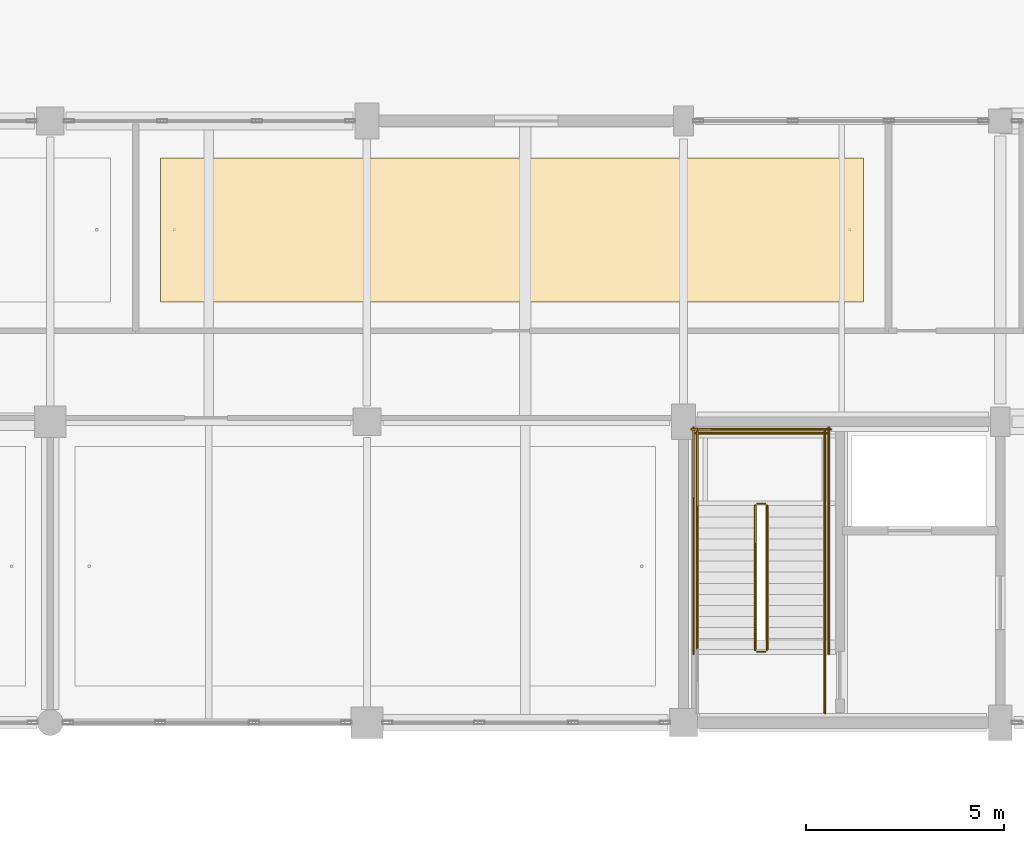
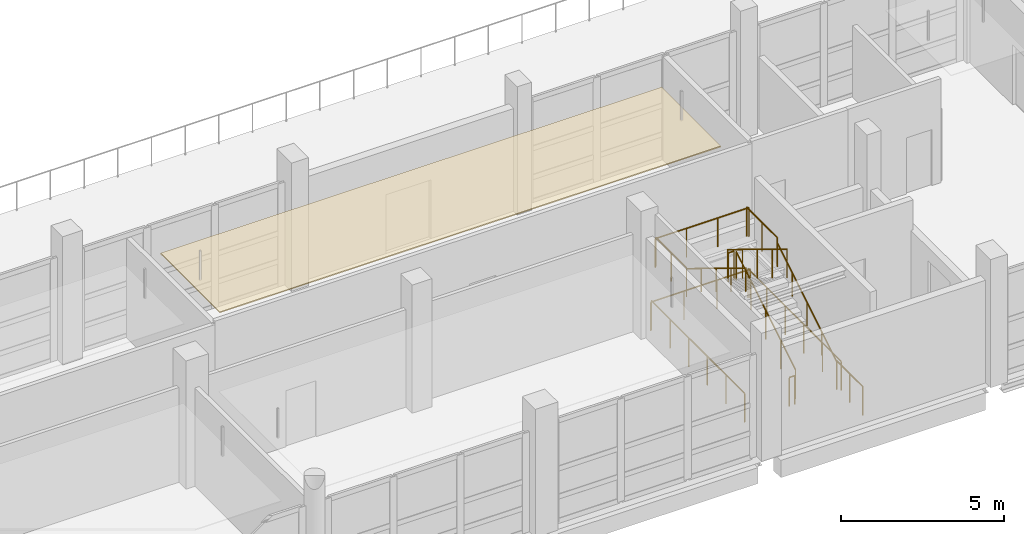
# One storey, part 135 of 147: 13 railings, 1 covering.
"""IFC4 building model written with IfcOpenShell, lengths in metres."""

from ifc_helpers import new_model, si_unit, direction, frame, origin, origin_2d, place, context, subcontext, project, spatial, polyline, circle, outline, extrude, material, layer, layer_set, type_object, element, save


model = new_model("IFC4")

# Units and contexts
model_context = context("Model", 3, precision=1e-05, world=origin(), true_north=direction((0.0, 1.0)))
body_context = subcontext(model_context, "Body", "Model", "MODEL_VIEW")
ifc_project = project(units=[si_unit("LENGTHUNIT", "METRE"), si_unit("AREAUNIT", "SQUARE_METRE"), si_unit("VOLUMEUNIT", "CUBIC_METRE"), si_unit("PLANEANGLEUNIT", "RADIAN"), si_unit("MASSUNIT", "GRAM", prefix="KILO")], contexts=[model_context])

# Site, building, storey
site_placement = place(None, origin())
site = spatial("IfcSite", under=ifc_project, at=site_placement, CompositionType="ELEMENT")
building_placement = place(site_placement, origin())
building = spatial("IfcBuilding", under=site, at=building_placement, Name="Khelvaren Railside Concert Hall", CompositionType="ELEMENT")
storey_placement = place(building_placement, frame((0.0, 0.0, 5.39990234375)))
storey = spatial("IfcBuildingStorey", under=building, at=storey_placement, Name="L01", CompositionType="ELEMENT", Elevation=5.39990234375)

# Covering
ifc_material_1 = material(Name="Mineral-wool acoustic baffle ceiling", Category="gypsum")
ifc_layer = layer(ifc_material_1, 0.0400390625)
ifc_layer_set = layer_set([ifc_layer], Name="Mineral-wool acoustic baffle ceiling")
covering_type = type_object("IfcCoveringType", Name="CLG20", PredefinedType="CEILING", material=ifc_layer_set)
covering_placement = place(storey_placement, frame((0.0, 0.0, 3.41015625)))
element("IfcCovering", 1, at=covering_placement, inside=storey, type_object=covering_type, Name="Suspended Acoustic Ceiling Acoustic Heritage Exhibition Gallery", PredefinedType="CEILING", context=body_context, shape_type="SweptSolid", body=[
    extrude(outline(polyline([(106.785888671875, 10.6298828125), (124.5439453125, 10.6298828125), (124.5439453125, 14.27001953125), (106.785888671875, 14.27001953125), (106.785888671875, 10.6298828125)])), origin(), (0.0, 0.0, 1.0), 0.0400390625),
])

# Railings
ifc_material_2 = material(Name="Painted architectural steel", Category="steel")
railing_type_1 = type_object("IfcRailingType", Name="GRD86", PredefinedType="GUARDRAIL", material=ifc_material_2)
railing_1_placement = place(storey_placement, frame((122.110107421875, 1.840087890625, 0.171630859375)))
element("IfcRailing", 2, at=railing_1_placement, inside=storey, type_object=railing_type_1, Name="L01 ST-06 stair guard 1", PredefinedType="GUARDRAIL", context=body_context, shape_type="SweptSolid", body=[
    extrude(circle(Radius=0.02392578125, at=origin_2d()), frame((0.0, 0.0, 1.076171875), z_axis=(0.0, 0.852850264322, 0.5221555579), x_axis=(-1.0, 0.0, 0.0)), (0.0, 0.0, 1.0), 4.267822265625),
    extrude(circle(Radius=0.02099609375, at=origin_2d()), origin(), (0.0, 0.0, 1.0), 1.052001953125),
    extrude(circle(Radius=0.02099609375, at=origin_2d()), frame((0.0, 0.909912109375, 0.55712890625)), (0.0, 0.0, 1.0), 1.052001953125),
    extrude(circle(Radius=0.02099609375, at=origin_2d()), frame((0.0, 1.81982421875, 1.1142578125)), (0.0, 0.0, 1.0), 1.052001953125),
    extrude(circle(Radius=0.02099609375, at=origin_2d()), frame((0.0, 2.72998046875, 1.67138671875)), (0.0, 0.0, 1.0), 1.052001953125),
    extrude(circle(Radius=0.02099609375, at=origin_2d()), frame((0.0, 3.639892578125, 2.228515625)), (0.0, 0.0, 1.0), 1.052001953125),
])
railing_2_placement = place(storey_placement, frame((122.06005859375, 5.530029296875, 2.400146484375)))
element("IfcRailing", 3, at=railing_2_placement, inside=storey, type_object=railing_type_1, Name="L01 ST-06 stair guard 2", PredefinedType="GUARDRAIL", context=body_context, shape_type="SweptSolid", body=[
    extrude(circle(Radius=0.02392578125, at=origin_2d()), frame((0.0, 0.0, 1.076171875), z_axis=(-1.0, 0.0, 0.0), x_axis=(0.0, -1.0, 0.0)), (0.0, 0.0, 1.0), 0.199951171875),
    extrude(circle(Radius=0.02099609375, at=origin_2d()), origin(), (0.0, 0.0, 1.0), 1.052001953125),
    extrude(circle(Radius=0.02099609375, at=origin_2d()), frame((-0.199951171875, 0.0, 0.0)), (0.0, 0.0, 1.0), 1.052001953125),
])
for number, where, name in (
    (4, (123.570068359375, 5.47998046875, 2.400146484375), "L01 ST-06 stair guard 3"),
    (5, (120.35009765625, 5.47998046875, 2.400146484375), "L01 ST-06 stair guard 4"),
):
    element("IfcRailing", number, at=place(storey_placement, frame(where)), inside=storey, type_object=railing_type_1, Name=name, PredefinedType="GUARDRAIL", context=body_context, shape_type="SweptSolid", body=[
        extrude(circle(Radius=0.02392578125, at=origin_2d()), frame((0.0, 0.0, 1.076171875), z_axis=(0.0, 1.0, 0.0), x_axis=(-1.0, 0.0, 0.0)), (0.0, 0.0, 1.0), 1.880126953125),
        extrude(circle(Radius=0.02099609375, at=origin_2d()), origin(), (0.0, 0.0, 1.0), 1.052001953125),
        extrude(circle(Radius=0.02099609375, at=origin_2d()), frame((0.0, 0.93994140625, 0.0)), (0.0, 0.0, 1.0), 1.052001953125),
        extrude(circle(Radius=0.02099609375, at=origin_2d()), frame((0.0, 1.880126953125, 0.0)), (0.0, 0.0, 1.0), 1.052001953125),
    ])
railing_3_placement = place(storey_placement, frame((123.6201171875, 7.31005859375, 2.400146484375)))
element("IfcRailing", 6, at=railing_3_placement, inside=storey, type_object=railing_type_1, Name="L01 ST-06 stair guard 5", PredefinedType="GUARDRAIL", context=body_context, shape_type="SweptSolid", body=[
    extrude(circle(Radius=0.02392578125, at=origin_2d()), frame((0.0, 0.0, 1.076171875), z_axis=(-1.0, 0.0, 0.0), x_axis=(0.0, -1.0, 0.0)), (0.0, 0.0, 1.0), 3.320068359375),
    extrude(circle(Radius=0.02099609375, at=origin_2d()), origin(), (0.0, 0.0, 1.0), 1.052001953125),
    extrude(circle(Radius=0.02099609375, at=origin_2d()), frame((-1.106689453125, 0.0, 0.0)), (0.0, 0.0, 1.0), 1.052001953125),
    extrude(circle(Radius=0.02099609375, at=origin_2d()), frame((-2.21337890625, 0.0, 0.0)), (0.0, 0.0, 1.0), 1.052001953125),
    extrude(circle(Radius=0.02099609375, at=origin_2d()), frame((-3.320068359375, 0.0, 0.0)), (0.0, 0.0, 1.0), 1.052001953125),
])
railing_4_placement = place(storey_placement, frame((121.81005859375, 5.47998046875, 2.571533203125)))
element("IfcRailing", 7, at=railing_4_placement, inside=storey, type_object=railing_type_1, Name="L01 ST-06 stair guard 6", PredefinedType="GUARDRAIL", context=body_context, shape_type="SweptSolid", body=[
    extrude(circle(Radius=0.02392578125, at=origin_2d()), frame((0.0, 0.0, 1.076171875), z_axis=(0.0, -0.852850264322, 0.5221555579), x_axis=(1.0, 0.0, 0.0)), (0.0, 0.0, 1.0), 4.267822265625),
    extrude(circle(Radius=0.02099609375, at=origin_2d()), origin(), (0.0, 0.0, 1.0), 1.052001953125),
    extrude(circle(Radius=0.02099609375, at=origin_2d()), frame((0.0, -0.909912109375, 0.55712890625)), (0.0, 0.0, 1.0), 1.052001953125),
    extrude(circle(Radius=0.02099609375, at=origin_2d()), frame((0.0, -1.81982421875, 1.1142578125)), (0.0, 0.0, 1.0), 1.052001953125),
    extrude(circle(Radius=0.02099609375, at=origin_2d()), frame((0.0, -2.72998046875, 1.67138671875)), (0.0, 0.0, 1.0), 1.052001953125),
    extrude(circle(Radius=0.02099609375, at=origin_2d()), frame((0.0, -3.639892578125, 2.228515625)), (0.0, 0.0, 1.0), 1.052001953125),
])
railing_5_placement = place(storey_placement, frame((122.06005859375, 1.7900390625, 0.0)))
element("IfcRailing", 8, at=railing_5_placement, inside=storey, type_object=railing_type_1, Name="L01 ST-06 stair guard 7", PredefinedType="GUARDRAIL", context=body_context, shape_type="SweptSolid", body=[
    extrude(circle(Radius=0.02392578125, at=origin_2d()), frame((0.0, 0.0, 1.076171875), z_axis=(-1.0, 0.0, 0.0), x_axis=(0.0, -1.0, 0.0)), (0.0, 0.0, 1.0), 0.199951171875),
    extrude(circle(Radius=0.02099609375, at=origin_2d()), origin(), (0.0, 0.0, 1.0), 1.052001953125),
    extrude(circle(Radius=0.02099609375, at=origin_2d()), frame((-0.199951171875, 0.0, 0.0)), (0.0, 0.0, 1.0), 1.052001953125),
])
railing_6_placement = place(storey_placement, frame((123.570068359375, 0.239990234375, 0.0)))
element("IfcRailing", 9, at=railing_6_placement, inside=storey, type_object=railing_type_1, Name="L01 ST-06 stair guard 8", PredefinedType="GUARDRAIL", context=body_context, shape_type="SweptSolid", body=[
    extrude(circle(Radius=0.02392578125, at=origin_2d()), frame((0.0, 0.0, 1.076171875), z_axis=(0.0, 1.0, 0.0), x_axis=(-1.0, 0.0, 0.0)), (0.0, 0.0, 1.0), 1.60009765625),
    extrude(circle(Radius=0.02099609375, at=origin_2d()), origin(), (0.0, 0.0, 1.0), 1.052001953125),
    extrude(circle(Radius=0.02099609375, at=origin_2d()), frame((0.0, 0.800048828125, 0.0)), (0.0, 0.0, 1.0), 1.052001953125),
    extrude(circle(Radius=0.02099609375, at=origin_2d()), frame((0.0, 1.60009765625, 0.0)), (0.0, 0.0, 1.0), 1.052001953125),
])
for number, where, name in (
    (10, (123.669921875, 1.739990234375, 0.0), "L01 ST-06 stair guard 10"),
    (11, (120.25, 1.739990234375, 0.0), "L01 ST-06 stair guard 11"),
):
    element("IfcRailing", number, at=place(storey_placement, frame(where)), inside=storey, type_object=railing_type_1, Name=name, PredefinedType="GUARDRAIL", context=body_context, shape_type="SweptSolid", body=[
        extrude(circle(Radius=0.02392578125, at=origin_2d()), frame((0.0, 0.0, 1.076171875), z_axis=(0.0, 1.0, 0.0), x_axis=(-1.0, 0.0, 0.0)), (0.0, 0.0, 1.0), 5.719970703125),
        extrude(circle(Radius=0.02099609375, at=origin_2d()), origin(), (0.0, 0.0, 1.0), 1.052001953125),
        extrude(circle(Radius=0.02099609375, at=origin_2d()), frame((0.0, 1.14404296875, 0.0)), (0.0, 0.0, 1.0), 1.052001953125),
        extrude(circle(Radius=0.02099609375, at=origin_2d()), frame((0.0, 2.2880859375, 0.0)), (0.0, 0.0, 1.0), 1.052001953125),
        extrude(circle(Radius=0.02099609375, at=origin_2d()), frame((0.0, 3.431884765625, 0.0)), (0.0, 0.0, 1.0), 1.052001953125),
        extrude(circle(Radius=0.02099609375, at=origin_2d()), frame((0.0, 4.575927734375, 0.0)), (0.0, 0.0, 1.0), 1.052001953125),
        extrude(circle(Radius=0.02099609375, at=origin_2d()), frame((0.0, 5.719970703125, 0.0)), (0.0, 0.0, 1.0), 1.052001953125),
    ])
railing_7_placement = place(storey_placement, frame((123.719970703125, 7.409912109375, 0.0)))
element("IfcRailing", 12, at=railing_7_placement, inside=storey, type_object=railing_type_1, Name="L01 ST-06 stair guard 12", PredefinedType="GUARDRAIL", context=body_context, shape_type="SweptSolid", body=[
    extrude(circle(Radius=0.02392578125, at=origin_2d()), frame((0.0, 0.0, 1.076171875), z_axis=(-1.0, 0.0, 0.0), x_axis=(0.0, -1.0, 0.0)), (0.0, 0.0, 1.0), 3.52001953125),
    extrude(circle(Radius=0.02099609375, at=origin_2d()), origin(), (0.0, 0.0, 1.0), 1.052001953125),
    extrude(circle(Radius=0.02099609375, at=origin_2d()), frame((-1.17333984375, 0.0, 0.0)), (0.0, 0.0, 1.0), 1.052001953125),
    extrude(circle(Radius=0.02099609375, at=origin_2d()), frame((-2.3466796875, 0.0, 0.0)), (0.0, 0.0, 1.0), 1.052001953125),
    extrude(circle(Radius=0.02099609375, at=origin_2d()), frame((-3.52001953125, 0.0, 0.0)), (0.0, 0.0, 1.0), 1.052001953125),
])
ifc_material_3 = material(Name="Brushed stainless steel Grade 316", Category="steel")
railing_type_2 = type_object("IfcRailingType", Name="HRL59", PredefinedType="HANDRAIL", material=ifc_material_3)
railing_8_placement = place(storey_placement, frame((123.570068359375, 1.840087890625, 0.171630859375)))
element("IfcRailing", 13, at=railing_8_placement, inside=storey, type_object=railing_type_2, Name="L01 ST-06 stair handrail 1", PredefinedType="HANDRAIL", context=body_context, shape_type="SweptSolid", body=[
    extrude(circle(Radius=0.02392578125, at=origin_2d()), frame((0.0, 0.0, 0.8759765625), z_axis=(0.0, 0.852850264322, 0.5221555579), x_axis=(-1.0, 0.0, 0.0)), (0.0, 0.0, 1.0), 4.267822265625),
    extrude(circle(Radius=0.02099609375, at=origin_2d()), origin(), (0.0, 0.0, 1.0), 0.851806640625),
    extrude(circle(Radius=0.02099609375, at=origin_2d()), frame((0.0, 0.909912109375, 0.55712890625)), (0.0, 0.0, 1.0), 0.851806640625),
    extrude(circle(Radius=0.02099609375, at=origin_2d()), frame((0.0, 1.81982421875, 1.1142578125)), (0.0, 0.0, 1.0), 0.851806640625),
    extrude(circle(Radius=0.02099609375, at=origin_2d()), frame((0.0, 2.72998046875, 1.67138671875)), (0.0, 0.0, 1.0), 0.851806640625),
    extrude(circle(Radius=0.02099609375, at=origin_2d()), frame((0.0, 3.639892578125, 2.228515625)), (0.0, 0.0, 1.0), 0.851806640625),
])
railing_9_placement = place(storey_placement, frame((120.35009765625, 5.47998046875, 2.571533203125)))
element("IfcRailing", 14, at=railing_9_placement, inside=storey, type_object=railing_type_2, Name="L01 ST-06 stair handrail 2", PredefinedType="HANDRAIL", context=body_context, shape_type="SweptSolid", body=[
    extrude(circle(Radius=0.02392578125, at=origin_2d()), frame((0.0, 0.0, 0.8759765625), z_axis=(0.0, -0.852850264322, 0.5221555579), x_axis=(1.0, 0.0, 0.0)), (0.0, 0.0, 1.0), 4.267822265625),
    extrude(circle(Radius=0.02099609375, at=origin_2d()), origin(), (0.0, 0.0, 1.0), 0.851806640625),
    extrude(circle(Radius=0.02099609375, at=origin_2d()), frame((0.0, -0.909912109375, 0.55712890625)), (0.0, 0.0, 1.0), 0.851806640625),
    extrude(circle(Radius=0.02099609375, at=origin_2d()), frame((0.0, -1.81982421875, 1.1142578125)), (0.0, 0.0, 1.0), 0.851806640625),
    extrude(circle(Radius=0.02099609375, at=origin_2d()), frame((0.0, -2.72998046875, 1.67138671875)), (0.0, 0.0, 1.0), 0.851806640625),
    extrude(circle(Radius=0.02099609375, at=origin_2d()), frame((0.0, -3.639892578125, 2.228515625)), (0.0, 0.0, 1.0), 0.851806640625),
])

save(model, "model.ifc")
